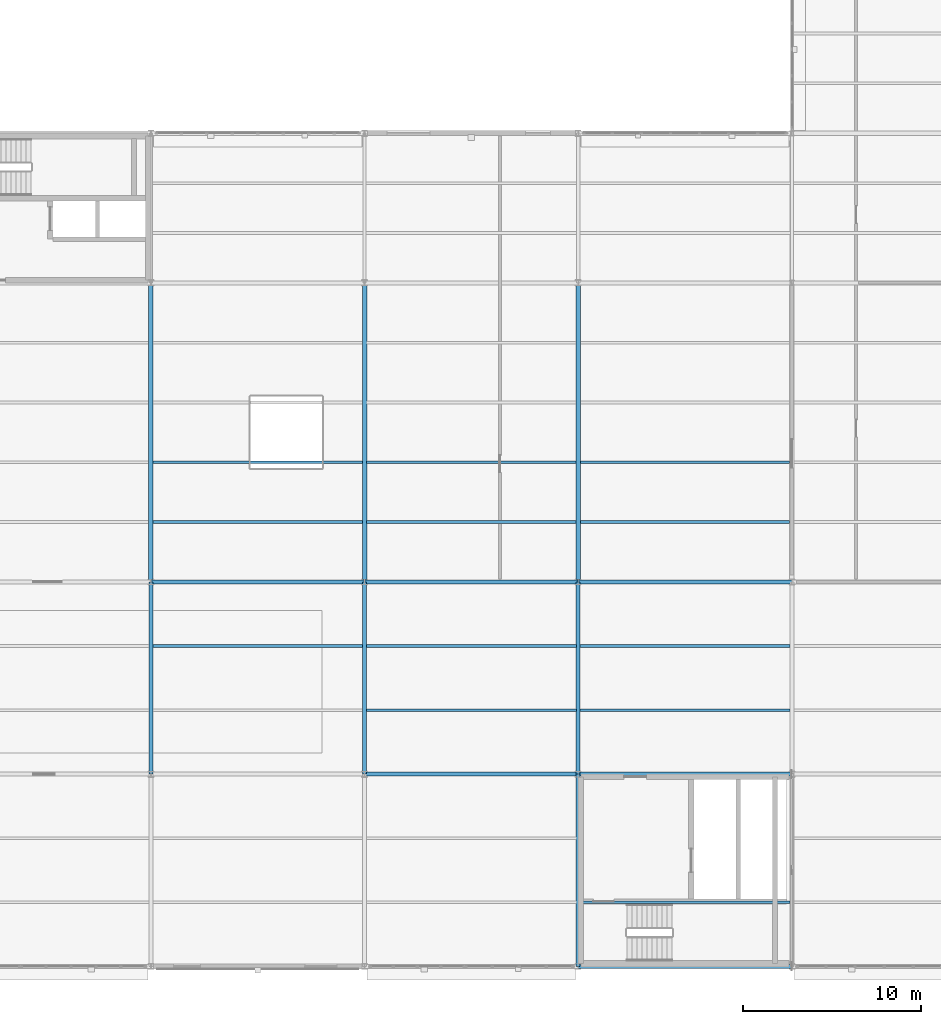
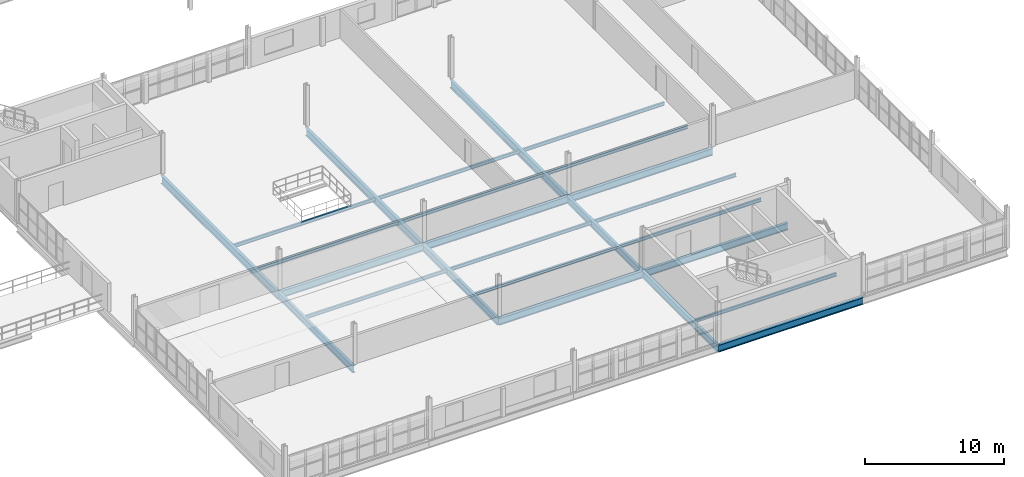
# One storey, part 47 of 101: 25 beams.
"""IFC4 building model written with IfcOpenShell, lengths in metres."""

from ifc_helpers import new_model, si_unit, direction, frame, origin, origin_2d, place, context, subcontext, project, spatial, i_section, extrude, material, material_profile, profile_set, type_object, element, save


model = new_model("IFC4")

# Units and contexts
model_context = context("Model", 3, precision=1e-05, world=origin(), true_north=direction((0.0, 1.0)))
body_context = subcontext(model_context, "Body", "Model", "MODEL_VIEW")
ifc_project = project(units=[si_unit("LENGTHUNIT", "METRE"), si_unit("AREAUNIT", "SQUARE_METRE"), si_unit("VOLUMEUNIT", "CUBIC_METRE"), si_unit("PLANEANGLEUNIT", "RADIAN"), si_unit("MASSUNIT", "GRAM", prefix="KILO"), si_unit("THERMODYNAMICTEMPERATUREUNIT", "KELVIN"), si_unit("POWERUNIT", "WATT")], contexts=[model_context])

# Site, building, storey
site_placement = place(None, origin())
site = spatial("IfcSite", under=ifc_project, at=site_placement, CompositionType="ELEMENT")
building_placement = place(site_placement, origin())
building = spatial("IfcBuilding", under=site, at=building_placement, Name="Tembeka Court Mobility Hub", CompositionType="ELEMENT")
storey_placement = place(building_placement, frame((0.0, 0.0, 5.39990234375)))
storey = spatial("IfcBuildingStorey", under=building, at=storey_placement, Name="L01", CompositionType="ELEMENT", Elevation=5.39990234375)

# Beams
ifc_material = material(Name="Steel S355", Category="steel")
ifc_material_profile_1 = material_profile(ifc_material, i_section(OverallWidth=0.25390625, OverallDepth=0.68408203125, WebThickness=0.012451171875, FlangeThickness=0.01904296875, FilletRadius=0.01513671875, at=origin_2d()), Name="UKB 686x254x140")
ifc_profile_set_1 = profile_set([ifc_material_profile_1], Name="Steel S355")
beam_type_1 = type_object("IfcBeamType", Name="BM-G01", PredefinedType="USERDEFINED", material=ifc_profile_set_1)
for number, where, z_axis, x_axis, name in (
    (1, (128.39990234375, 21.60009765625, -0.531982421875), (0.0, 1.0, 0.0), (-1.0, 0.0, 0.0), "Beam G01 (BM-L01-Y0882)"),
    (2, (140.39990234375, 21.60009765625, -0.531982421875), (0.0, 1.0, 0.0), (-1.0, 0.0, 0.0), "Beam G01 (BM-L01-Y0890)"),
    (3, (152.39990234375, 21.60009765625, -0.531982421875), (0.0, 1.0, 0.0), (-1.0, 0.0, 0.0), "Beam G01 (BM-L01-Y0897)"),
):
    element("IfcBeam", number, at=place(storey_placement, frame(where, z_axis=z_axis, x_axis=x_axis)), inside=storey, type_object=beam_type_1, Name=name, ObjectType="GIRDER", PredefinedType="USERDEFINED", context=body_context, shape_type="SweptSolid", body=[
        extrude(i_section(OverallWidth=0.25390625, OverallDepth=0.68408203125, WebThickness=0.012451171875, FlangeThickness=0.01904296875, FilletRadius=0.01513671875, at=origin_2d()), origin(), (0.0, 0.0, 1.0), 16.7998046875),
    ])
ifc_material_profile_2 = material_profile(ifc_material, i_section(OverallWidth=0.22900390625, OverallDepth=0.612060546875, WebThickness=0.011962890625, FlangeThickness=0.01953125, FilletRadius=0.0126953125, at=origin_2d()), Name="UKB 610x229x125")
ifc_profile_set_2 = profile_set([ifc_material_profile_2], Name="Steel S355")
beam_type_2 = type_object("IfcBeamType", Name="BM-G02", PredefinedType="USERDEFINED", material=ifc_profile_set_2)
for number, where, z_axis, x_axis, name in (
    (4, (152.39990234375, 0.0, -0.495849609375), (1.0, 0.0, 0.0), (0.0, 1.0, 0.0), "Beam G02 (BM-L01-X0619)"),
    (5, (140.39990234375, 10.800048828125, -0.495849609375), (1.0, 0.0, 0.0), (0.0, 1.0, 0.0), "Beam G02 (BM-L01-X0626)"),
    (6, (152.39990234375, 10.800048828125, -0.495849609375), (1.0, 0.0, 0.0), (0.0, 1.0, 0.0), "Beam G02 (BM-L01-X0627)"),
    (7, (128.39990234375, 21.60009765625, -0.495849609375), (1.0, 0.0, 0.0), (0.0, 1.0, 0.0), "Beam G02 (BM-L01-X0641)"),
    (8, (140.39990234375, 21.60009765625, -0.495849609375), (1.0, 0.0, 0.0), (0.0, 1.0, 0.0), "Beam G02 (BM-L01-X0642)"),
    (9, (152.39990234375, 21.60009765625, -0.495849609375), (1.0, 0.0, 0.0), (0.0, 1.0, 0.0), "Beam G02 (BM-L01-X0643)"),
):
    element("IfcBeam", number, at=place(storey_placement, frame(where, z_axis=z_axis, x_axis=x_axis)), inside=storey, type_object=beam_type_2, Name=name, ObjectType="GIRDER", PredefinedType="USERDEFINED", context=body_context, shape_type="SweptSolid", body=[
        extrude(i_section(OverallWidth=0.22900390625, OverallDepth=0.612060546875, WebThickness=0.011962890625, FlangeThickness=0.01953125, FilletRadius=0.0126953125, at=origin_2d()), origin(), (0.0, 0.0, 1.0), 12.0),
    ])
for number, where, z_axis, x_axis, name in (
    (10, (128.39990234375, 10.800048828125, -0.495849609375), (0.0, 1.0, 0.0), (-1.0, 0.0, 0.0), "Beam G02 (BM-L01-Y0881)"),
    (11, (140.39990234375, 10.800048828125, -0.495849609375), (0.0, 1.0, 0.0), (-1.0, 0.0, 0.0), "Beam G02 (BM-L01-Y0889)"),
    (12, (152.39990234375, 0.0, -0.495849609375), (0.0, 1.0, 0.0), (-1.0, 0.0, 0.0), "Beam G02 (BM-L01-Y0895)"),
    (13, (152.39990234375, 10.800048828125, -0.495849609375), (0.0, 1.0, 0.0), (-1.0, 0.0, 0.0), "Beam G02 (BM-L01-Y0896)"),
):
    element("IfcBeam", number, at=place(storey_placement, frame(where, z_axis=z_axis, x_axis=x_axis)), inside=storey, type_object=beam_type_2, Name=name, ObjectType="GIRDER", PredefinedType="USERDEFINED", context=body_context, shape_type="SweptSolid", body=[
        extrude(i_section(OverallWidth=0.22900390625, OverallDepth=0.612060546875, WebThickness=0.011962890625, FlangeThickness=0.01953125, FilletRadius=0.0126953125, at=origin_2d()), origin(), (0.0, 0.0, 1.0), 10.800048828125),
    ])
ifc_material_profile_3 = material_profile(ifc_material, i_section(OverallWidth=0.14990234375, OverallDepth=0.300048828125, WebThickness=0.007080078125, FlangeThickness=0.0107421875, FilletRadius=0.014892578125, at=origin_2d()), Name="IPE 300")
ifc_profile_set_3 = profile_set([ifc_material_profile_3], Name="Steel S355")
beam_type_3 = type_object("IfcBeamType", Name="BM-J04", PredefinedType="JOIST", material=ifc_profile_set_3)
beam_placement = place(storey_placement, frame((128.509521484375, 18.0, -0.33984375), z_axis=(1.0, 0.0, 0.0), x_axis=(0.0, 1.0, 0.0)))
element("IfcBeam", 14, at=beam_placement, inside=storey, type_object=beam_type_3, Name="Beam J04 (JST-L01-1125)", PredefinedType="JOIST", context=body_context, shape_type="SweptSolid", body=[
    extrude(i_section(OverallWidth=0.14990234375, OverallDepth=0.300048828125, WebThickness=0.007080078125, FlangeThickness=0.0107421875, FilletRadius=0.014892578125, at=origin_2d()), origin(), (0.0, 0.0, 1.0), 11.781005859375),
])
for number, where, z_axis, x_axis, name in (
    (15, (128.52197265625, 24.9599609375, -0.33984375), (1.0, 0.0, 0.0), (0.0, 1.0, 0.0), "Beam J04 (JST-L01-1126)"),
    (16, (128.52197265625, 28.320068359375, -0.33984375), (1.0, 0.0, 0.0), (0.0, 1.0, 0.0), "Beam J04 (JST-L01-1127)"),
):
    element("IfcBeam", number, at=place(storey_placement, frame(where, z_axis=z_axis, x_axis=x_axis)), inside=storey, type_object=beam_type_3, Name=name, PredefinedType="JOIST", context=body_context, shape_type="SweptSolid", body=[
        extrude(i_section(OverallWidth=0.14990234375, OverallDepth=0.300048828125, WebThickness=0.007080078125, FlangeThickness=0.0107421875, FilletRadius=0.014892578125, at=origin_2d()), origin(), (0.0, 0.0, 1.0), 11.756103515625),
    ])
for number, where, z_axis, x_axis, name in (
    (17, (140.509521484375, 14.39990234375, -0.33984375), (1.0, 0.0, 0.0), (0.0, 1.0, 0.0), "Beam J04 (JST-L01-1139)"),
    (18, (140.509521484375, 18.0, -0.33984375), (1.0, 0.0, 0.0), (0.0, 1.0, 0.0), "Beam J04 (JST-L01-1140)"),
):
    element("IfcBeam", number, at=place(storey_placement, frame(where, z_axis=z_axis, x_axis=x_axis)), inside=storey, type_object=beam_type_3, Name=name, PredefinedType="JOIST", context=body_context, shape_type="SweptSolid", body=[
        extrude(i_section(OverallWidth=0.14990234375, OverallDepth=0.300048828125, WebThickness=0.007080078125, FlangeThickness=0.0107421875, FilletRadius=0.014892578125, at=origin_2d()), origin(), (0.0, 0.0, 1.0), 11.781005859375),
    ])
for number, where, z_axis, x_axis, name in (
    (19, (140.52197265625, 24.9599609375, -0.33984375), (1.0, 0.0, 0.0), (0.0, 1.0, 0.0), "Beam J04 (JST-L01-1141)"),
    (20, (140.52197265625, 28.320068359375, -0.33984375), (1.0, 0.0, 0.0), (0.0, 1.0, 0.0), "Beam J04 (JST-L01-1142)"),
):
    element("IfcBeam", number, at=place(storey_placement, frame(where, z_axis=z_axis, x_axis=x_axis)), inside=storey, type_object=beam_type_3, Name=name, PredefinedType="JOIST", context=body_context, shape_type="SweptSolid", body=[
        extrude(i_section(OverallWidth=0.14990234375, OverallDepth=0.300048828125, WebThickness=0.007080078125, FlangeThickness=0.0107421875, FilletRadius=0.014892578125, at=origin_2d()), origin(), (0.0, 0.0, 1.0), 11.756103515625),
    ])
for number, where, z_axis, x_axis, name in (
    (21, (152.509521484375, 3.60009765625, -0.33984375), (1.0, 0.0, 0.0), (0.0, 1.0, 0.0), "Beam J04 (JST-L01-1147)"),
    (22, (152.509521484375, 14.39990234375, -0.33984375), (1.0, 0.0, 0.0), (0.0, 1.0, 0.0), "Beam J04 (JST-L01-1148)"),
    (23, (152.509521484375, 18.0, -0.33984375), (1.0, 0.0, 0.0), (0.0, 1.0, 0.0), "Beam J04 (JST-L01-1149)"),
):
    element("IfcBeam", number, at=place(storey_placement, frame(where, z_axis=z_axis, x_axis=x_axis)), inside=storey, type_object=beam_type_3, Name=name, PredefinedType="JOIST", context=body_context, shape_type="SweptSolid", body=[
        extrude(i_section(OverallWidth=0.14990234375, OverallDepth=0.300048828125, WebThickness=0.007080078125, FlangeThickness=0.0107421875, FilletRadius=0.014892578125, at=origin_2d()), origin(), (0.0, 0.0, 1.0), 11.781005859375),
    ])
for number, where, z_axis, x_axis, name in (
    (24, (152.52197265625, 24.9599609375, -0.33984375), (1.0, 0.0, 0.0), (0.0, 1.0, 0.0), "Beam J04 (JST-L01-1150)"),
    (25, (152.52197265625, 28.320068359375, -0.33984375), (1.0, 0.0, 0.0), (0.0, 1.0, 0.0), "Beam J04 (JST-L01-1151)"),
):
    element("IfcBeam", number, at=place(storey_placement, frame(where, z_axis=z_axis, x_axis=x_axis)), inside=storey, type_object=beam_type_3, Name=name, PredefinedType="JOIST", context=body_context, shape_type="SweptSolid", body=[
        extrude(i_section(OverallWidth=0.14990234375, OverallDepth=0.300048828125, WebThickness=0.007080078125, FlangeThickness=0.0107421875, FilletRadius=0.014892578125, at=origin_2d()), origin(), (0.0, 0.0, 1.0), 11.756103515625),
    ])

save(model, "model.ifc")
